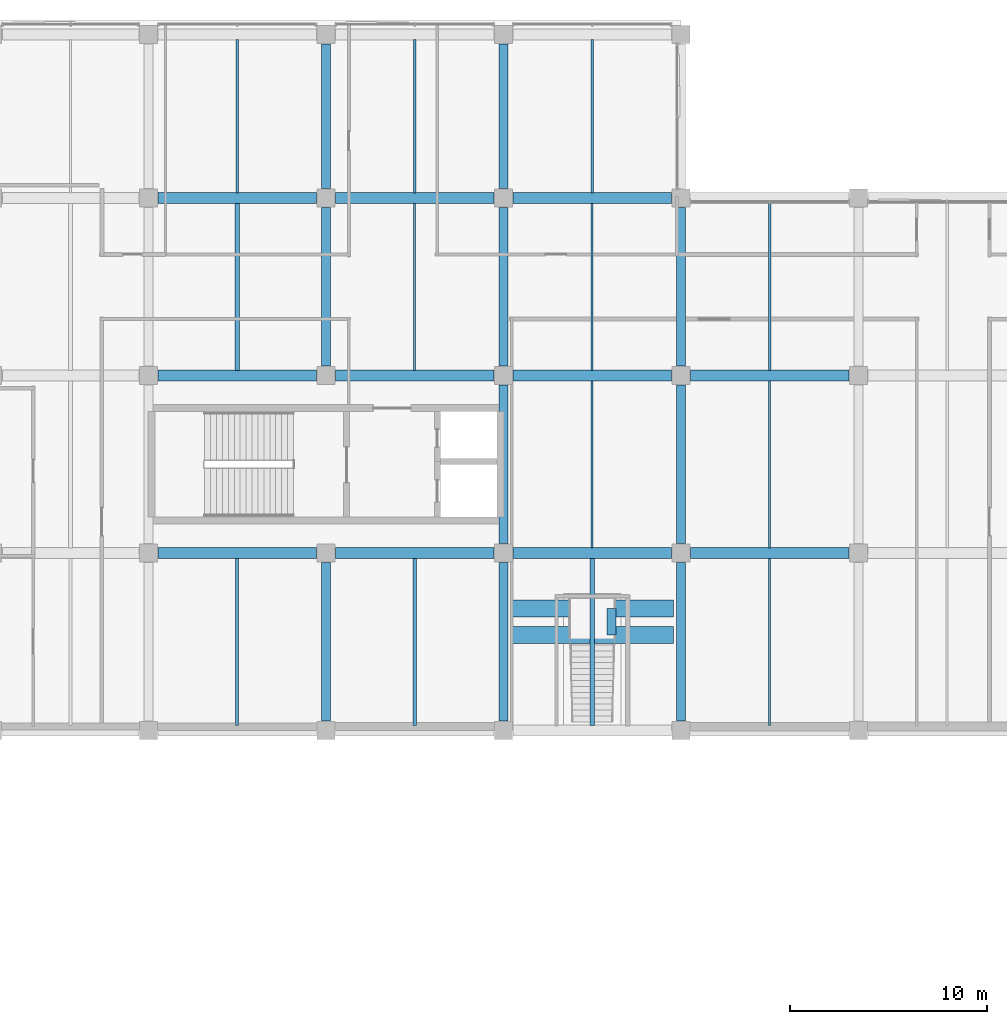
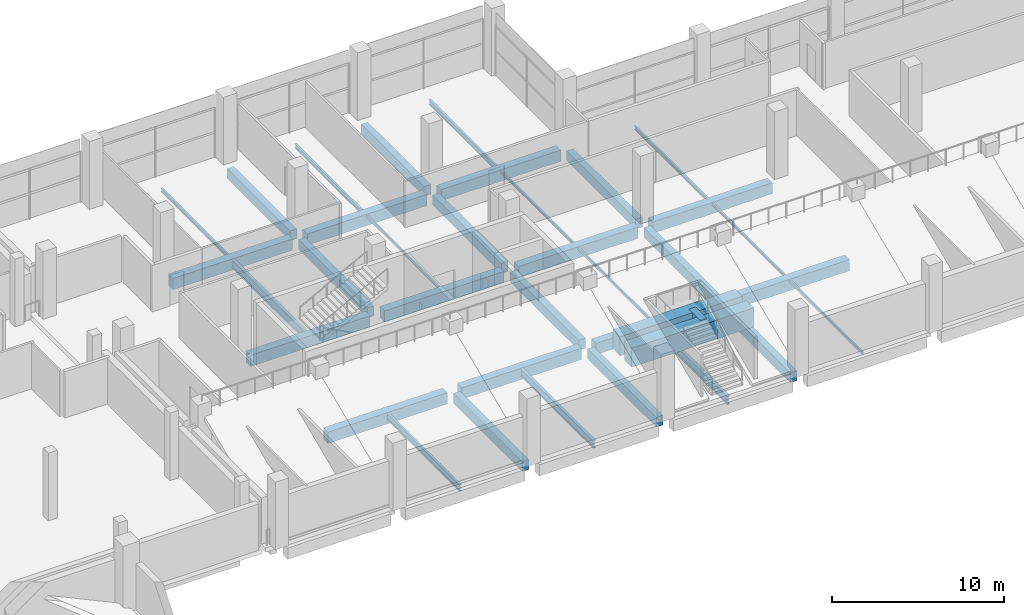
# One storey, part 31 of 100: 37 beams.
"""IFC4 building model written with IfcOpenShell, lengths in metres."""

from ifc_helpers import new_model, si_unit, direction, frame, origin, origin_2d, place, context, subcontext, project, spatial, rectangle, hollow_rectangle, i_section, extrude, material, material_profile, profile_set, type_object, element, save


model = new_model("IFC4")

# Units and contexts
model_context = context("Model", 3, precision=1e-05, world=origin(), true_north=direction((0.0, 1.0)))
body_context = subcontext(model_context, "Body", "Model", "MODEL_VIEW")
ifc_project = project(units=[si_unit("LENGTHUNIT", "METRE"), si_unit("AREAUNIT", "SQUARE_METRE"), si_unit("VOLUMEUNIT", "CUBIC_METRE"), si_unit("PLANEANGLEUNIT", "RADIAN"), si_unit("MASSUNIT", "GRAM", prefix="KILO"), si_unit("THERMODYNAMICTEMPERATUREUNIT", "KELVIN"), si_unit("POWERUNIT", "WATT")], contexts=[model_context])

# Site, building, storey
site_placement = place(None, origin())
site = spatial("IfcSite", under=ifc_project, at=site_placement, CompositionType="ELEMENT")
building_placement = place(site_placement, origin())
building = spatial("IfcBuilding", under=site, at=building_placement, Name="Sindhuravela Promenade Stadium", CompositionType="ELEMENT")
storey_placement = place(building_placement, frame((0.0, 0.0, 4.800048828125)))
storey = spatial("IfcBuildingStorey", under=building, at=storey_placement, Name="L01", CompositionType="ELEMENT", Elevation=4.800048828125)

# Beams
ifc_material_1 = material(Name="Concrete M40", Category="concrete")
ifc_material_profile_1 = material_profile(ifc_material_1, rectangle(XDim=0.449951171875, YDim=0.699951171875, at=origin_2d()), Name="RC 450x700")
ifc_profile_set_1 = profile_set([ifc_material_profile_1], Name="Concrete M40")
beam_type_1 = type_object("IfcBeamType", Name="RC-BM-450x700", PredefinedType="BEAM", material=ifc_profile_set_1)
for number, where, z_axis, x_axis, name in (
    (1, (72.0, 126.489990234375, -0.650146484375), (0.0, 1.0, 0.0), (-1.0, 0.0, 0.0), "Primary beam GB07 NORTH L01"),
    (2, (72.0, 144.489990234375, -0.650146484375), (0.0, 1.0, 0.0), (-1.0, 0.0, 0.0), "Primary beam GB07 NORTH L01"),
):
    element("IfcBeam", number, at=place(storey_placement, frame(where, z_axis=z_axis, x_axis=x_axis)), inside=storey, type_object=beam_type_1, Name=name, PredefinedType="BEAM", context=body_context, shape_type="SweptSolid", body=[
        extrude(rectangle(XDim=0.449951171875, YDim=0.699951171875, at=origin_2d()), origin(), (0.0, 0.0, 1.0), 8.02001953125),
    ])
beam_1_placement = place(storey_placement, frame((72.0, 153.489990234375, -0.650146484375), z_axis=(0.0, 1.0, 0.0), x_axis=(-1.0, 0.0, 0.0)))
element("IfcBeam", 3, at=beam_1_placement, inside=storey, type_object=beam_type_1, Name="Primary beam GB07 NORTH L01", PredefinedType="BEAM", context=body_context, shape_type="SweptSolid", body=[
    extrude(rectangle(XDim=0.449951171875, YDim=0.699951171875, at=origin_2d()), origin(), (0.0, 0.0, 1.0), 7.320068359375),
])
for number, where, z_axis, x_axis, name in (
    (4, (81.0, 126.489990234375, -0.650146484375), (0.0, 1.0, 0.0), (-1.0, 0.0, 0.0), "Primary beam GB07 NORTH L01"),
    (5, (81.0, 135.489990234375, -0.650146484375), (0.0, 1.0, 0.0), (-1.0, 0.0, 0.0), "Primary beam GB07 NORTH L01"),
    (6, (81.0, 144.489990234375, -0.650146484375), (0.0, 1.0, 0.0), (-1.0, 0.0, 0.0), "Primary beam GB07 NORTH L01"),
):
    element("IfcBeam", number, at=place(storey_placement, frame(where, z_axis=z_axis, x_axis=x_axis)), inside=storey, type_object=beam_type_1, Name=name, PredefinedType="BEAM", context=body_context, shape_type="SweptSolid", body=[
        extrude(rectangle(XDim=0.449951171875, YDim=0.699951171875, at=origin_2d()), origin(), (0.0, 0.0, 1.0), 8.02001953125),
    ])
beam_2_placement = place(storey_placement, frame((81.0, 153.489990234375, -0.650146484375), z_axis=(0.0, 1.0, 0.0), x_axis=(-1.0, 0.0, 0.0)))
element("IfcBeam", 7, at=beam_2_placement, inside=storey, type_object=beam_type_1, Name="Primary beam GB07 NORTH L01", PredefinedType="BEAM", context=body_context, shape_type="SweptSolid", body=[
    extrude(rectangle(XDim=0.449951171875, YDim=0.699951171875, at=origin_2d()), origin(), (0.0, 0.0, 1.0), 7.320068359375),
])
for number, where, z_axis, x_axis, name in (
    (8, (90.0, 126.489990234375, -0.650146484375), (0.0, 1.0, 0.0), (-1.0, 0.0, 0.0), "Primary beam GB07 NORTH L01"),
    (9, (90.0, 135.489990234375, -0.650146484375), (0.0, 1.0, 0.0), (-1.0, 0.0, 0.0), "Primary beam GB07 NORTH L01"),
    (10, (90.0, 144.489990234375, -0.650146484375), (0.0, 1.0, 0.0), (-1.0, 0.0, 0.0), "Primary beam GB07 NORTH L01"),
):
    element("IfcBeam", number, at=place(storey_placement, frame(where, z_axis=z_axis, x_axis=x_axis)), inside=storey, type_object=beam_type_1, Name=name, PredefinedType="BEAM", context=body_context, shape_type="SweptSolid", body=[
        extrude(rectangle(XDim=0.449951171875, YDim=0.699951171875, at=origin_2d()), origin(), (0.0, 0.0, 1.0), 8.02001953125),
    ])
beam_3_placement = place(storey_placement, frame((86.47998046875, 130.840087890625, 1.655029296875), z_axis=(0.0, 1.0, 0.0), x_axis=(-1.0, 0.0, 0.0)))
element("IfcBeam", 11, at=beam_3_placement, inside=storey, type_object=beam_type_1, Name="Vomitory VS09 landing edge stringer", PredefinedType="BEAM", context=body_context, shape_type="SweptSolid", body=[
    extrude(rectangle(XDim=0.449951171875, YDim=0.699951171875, at=origin_2d()), origin(), (0.0, 0.0, 1.0), 1.349853515625),
])
ifc_material_profile_2 = material_profile(ifc_material_1, rectangle(XDim=0.550048828125, YDim=0.800048828125, at=origin_2d()), Name="RC 550x800")
ifc_profile_set_2 = profile_set([ifc_material_profile_2], Name="Concrete M40")
beam_type_2 = type_object("IfcBeamType", Name="RC-BM-550x800", PredefinedType="BEAM", material=ifc_profile_set_2)
for number, where, z_axis, x_axis, name in (
    (12, (63.489990234375, 135.0, -0.699951171875), (1.0, 0.0, 0.0), (0.0, 1.0, 0.0), "Primary girder GB05 NORTH L01"),
    (13, (72.489990234375, 135.0, -0.699951171875), (1.0, 0.0, 0.0), (0.0, 1.0, 0.0), "Primary girder GB05 NORTH L01"),
    (14, (81.489990234375, 135.0, -0.699951171875), (1.0, 0.0, 0.0), (0.0, 1.0, 0.0), "Primary girder GB05 NORTH L01"),
    (15, (90.489990234375, 135.0, -0.699951171875), (1.0, 0.0, 0.0), (0.0, 1.0, 0.0), "Primary girder GB05 NORTH L01"),
    (16, (63.489990234375, 144.0, -0.699951171875), (1.0, 0.0, 0.0), (0.0, 1.0, 0.0), "Primary girder GB05 NORTH L01"),
    (17, (72.489990234375, 144.0, -0.699951171875), (1.0, 0.0, 0.0), (0.0, 1.0, 0.0), "Primary girder GB05 NORTH L01"),
    (18, (81.489990234375, 144.0, -0.699951171875), (1.0, 0.0, 0.0), (0.0, 1.0, 0.0), "Primary girder GB05 NORTH L01"),
    (19, (90.489990234375, 144.0, -0.699951171875), (1.0, 0.0, 0.0), (0.0, 1.0, 0.0), "Primary girder GB05 NORTH L01"),
    (20, (63.489990234375, 153.0, -0.699951171875), (1.0, 0.0, 0.0), (0.0, 1.0, 0.0), "Primary girder GB05 NORTH L01"),
    (21, (72.489990234375, 153.0, -0.699951171875), (1.0, 0.0, 0.0), (0.0, 1.0, 0.0), "Primary girder GB05 NORTH L01"),
    (22, (81.489990234375, 153.0, -0.699951171875), (1.0, 0.0, 0.0), (0.0, 1.0, 0.0), "Primary girder GB05 NORTH L01"),
):
    element("IfcBeam", number, at=place(storey_placement, frame(where, z_axis=z_axis, x_axis=x_axis)), inside=storey, type_object=beam_type_2, Name=name, PredefinedType="BEAM", context=body_context, shape_type="SweptSolid", body=[
        extrude(rectangle(XDim=0.550048828125, YDim=0.800048828125, at=origin_2d()), origin(), (0.0, 0.0, 1.0), 8.02001953125),
    ])
ifc_material_2 = material(Name="Concrete M50", Category="concrete")
ifc_material_profile_3 = material_profile(ifc_material_2, rectangle(XDim=0.85009765625, YDim=1.35009765625, at=origin_2d()), Name="RC 850x1350")
ifc_profile_set_3 = profile_set([ifc_material_profile_3], Name="Concrete M50")
beam_type_3 = type_object("IfcBeamType", Name="RC-RK-850x1350", PredefinedType="USERDEFINED", material=ifc_profile_set_3)
for number, where, z_axis, x_axis, name in (
    (23, (81.389892578125, 130.840087890625, 1.329833984375), (1.0, 0.0, 0.0), (0.0, 1.0, 0.0), "Vomitory VS09 landing trimmer beam 1"),
    (24, (81.389892578125, 132.18994140625, 1.329833984375), (1.0, 0.0, 0.0), (0.0, 1.0, 0.0), "Vomitory VS09 landing trimmer beam 2"),
):
    element("IfcBeam", number, at=place(storey_placement, frame(where, z_axis=z_axis, x_axis=x_axis)), inside=storey, type_object=beam_type_3, Name=name, ObjectType="RAKER", PredefinedType="USERDEFINED", context=body_context, shape_type="SweptSolid", body=[
        extrude(rectangle(XDim=0.85009765625, YDim=1.35009765625, at=origin_2d()), origin(), (0.0, 0.0, 1.0), 8.22021484375),
    ])
ifc_material_3 = material(Name="Steel E350 (IS 2062 E350BR)", Category="steel")
ifc_material_profile_4 = material_profile(ifc_material_3, hollow_rectangle(XDim=0.10009765625, YDim=0.199951171875, WallThickness=0.008056640625, at=origin_2d()), Name="RHS 200x100x8")
ifc_profile_set_4 = profile_set([ifc_material_profile_4], Name="Steel E350 (IS 2062 E350BR)")
beam_type_4 = type_object("IfcBeamType", Name="ST-BM-LNT200", PredefinedType="LINTEL", material=ifc_profile_set_4)
for number, where, z_axis, x_axis, name in (
    (25, (94.5, 126.264892578125, -0.400146484375), (0.0, 1.0, 0.0), (-1.0, 0.0, 0.0), "Secondary floor joist LN01 NORTH L01"),
    (26, (85.5, 135.264892578125, -0.400146484375), (0.0, 1.0, 0.0), (-1.0, 0.0, 0.0), "Secondary floor joist LN01 NORTH L01"),
    (27, (76.5, 144.264892578125, -0.400146484375), (0.0, 1.0, 0.0), (-1.0, 0.0, 0.0), "Secondary floor joist LN01 NORTH L01"),
):
    element("IfcBeam", number, at=place(storey_placement, frame(where, z_axis=z_axis, x_axis=x_axis)), inside=storey, type_object=beam_type_4, Name=name, PredefinedType="LINTEL", context=body_context, shape_type="SweptSolid", body=[
        extrude(hollow_rectangle(XDim=0.10009765625, YDim=0.199951171875, WallThickness=0.008056640625, at=origin_2d()), origin(), (0.0, 0.0, 1.0), 8.47021484375),
    ])
ifc_material_profile_5 = material_profile(ifc_material_3, i_section(OverallWidth=0.10009765625, OverallDepth=0.199951171875, WebThickness=0.005615234375, FlangeThickness=0.0107421875, FilletRadius=0.010986328125, at=origin_2d()), Name="ISMB 200")
ifc_profile_set_5 = profile_set([ifc_material_profile_5], Name="Steel E350 (IS 2062 E350BR)")
beam_type_5 = type_object("IfcBeamType", Name="ST-BM-MB200", PredefinedType="JOIST", material=ifc_profile_set_5)
for number, where, z_axis, x_axis, name in (
    (28, (94.5, 135.264892578125, -0.400146484375), (0.0, 1.0, 0.0), (-1.0, 0.0, 0.0), "Secondary floor joist SB01 NORTH L01"),
    (29, (85.5, 144.264892578125, -0.400146484375), (0.0, 1.0, 0.0), (-1.0, 0.0, 0.0), "Secondary floor joist SB01 NORTH L01"),
):
    element("IfcBeam", number, at=place(storey_placement, frame(where, z_axis=z_axis, x_axis=x_axis)), inside=storey, type_object=beam_type_5, Name=name, PredefinedType="JOIST", context=body_context, shape_type="SweptSolid", body=[
        extrude(i_section(OverallWidth=0.10009765625, OverallDepth=0.199951171875, WebThickness=0.005615234375, FlangeThickness=0.0107421875, FilletRadius=0.010986328125, at=origin_2d()), origin(), (0.0, 0.0, 1.0), 8.47021484375),
    ])
ifc_material_profile_6 = material_profile(ifc_material_3, i_section(OverallWidth=0.125, OverallDepth=0.25, WebThickness=0.0068359375, FlangeThickness=0.012451171875, FilletRadius=0.012939453125, at=origin_2d()), Name="ISMB 250")
ifc_profile_set_6 = profile_set([ifc_material_profile_6], Name="Steel E350 (IS 2062 E350BR)")
beam_type_6 = type_object("IfcBeamType", Name="ST-BM-MB250", PredefinedType="JOIST", material=ifc_profile_set_6)
beam_4_placement = place(storey_placement, frame((94.5, 144.264892578125, -0.425048828125), z_axis=(0.0, 1.0, 0.0), x_axis=(-1.0, 0.0, 0.0)))
element("IfcBeam", 30, at=beam_4_placement, inside=storey, type_object=beam_type_6, Name="Secondary floor joist SB02 NORTH L01", PredefinedType="JOIST", context=body_context, shape_type="SweptSolid", body=[
    extrude(i_section(OverallWidth=0.125, OverallDepth=0.25, WebThickness=0.0068359375, FlangeThickness=0.012451171875, FilletRadius=0.012939453125, at=origin_2d()), origin(), (0.0, 0.0, 1.0), 8.47021484375),
])
beam_5_placement = place(storey_placement, frame((67.5, 153.264892578125, -0.425048828125), z_axis=(0.0, 1.0, 0.0), x_axis=(-1.0, 0.0, 0.0)))
element("IfcBeam", 31, at=beam_5_placement, inside=storey, type_object=beam_type_6, Name="Secondary floor joist SB02 NORTH L01", PredefinedType="JOIST", context=body_context, shape_type="SweptSolid", body=[
    extrude(i_section(OverallWidth=0.125, OverallDepth=0.25, WebThickness=0.0068359375, FlangeThickness=0.012451171875, FilletRadius=0.012939453125, at=origin_2d()), origin(), (0.0, 0.0, 1.0), 7.77001953125),
])
ifc_material_profile_7 = material_profile(ifc_material_3, i_section(OverallWidth=0.139892578125, OverallDepth=0.300048828125, WebThickness=0.0078125, FlangeThickness=0.01318359375, FilletRadius=0.013916015625, at=origin_2d()), Name="ISMB 300")
ifc_profile_set_7 = profile_set([ifc_material_profile_7], Name="Steel E350 (IS 2062 E350BR)")
beam_type_7 = type_object("IfcBeamType", Name="ST-BM-MB300", PredefinedType="JOIST", material=ifc_profile_set_7)
beam_6_placement = place(storey_placement, frame((76.5, 153.264892578125, -0.449951171875), z_axis=(0.0, 1.0, 0.0), x_axis=(-1.0, 0.0, 0.0)))
element("IfcBeam", 32, at=beam_6_placement, inside=storey, type_object=beam_type_7, Name="Secondary floor joist SB03 NORTH L01", PredefinedType="JOIST", context=body_context, shape_type="SweptSolid", body=[
    extrude(i_section(OverallWidth=0.139892578125, OverallDepth=0.300048828125, WebThickness=0.0078125, FlangeThickness=0.01318359375, FilletRadius=0.013916015625, at=origin_2d()), origin(), (0.0, 0.0, 1.0), 7.77001953125),
])
ifc_material_profile_8 = material_profile(ifc_material_3, i_section(OverallWidth=0.139892578125, OverallDepth=0.35009765625, WebThickness=0.008056640625, FlangeThickness=0.01416015625, FilletRadius=0.013916015625, at=origin_2d()), Name="ISMB 350")
ifc_profile_set_8 = profile_set([ifc_material_profile_8], Name="Steel E350 (IS 2062 E350BR)")
beam_type_8 = type_object("IfcBeamType", Name="ST-BM-MB350", PredefinedType="JOIST", material=ifc_profile_set_8)
beam_7_placement = place(storey_placement, frame((85.5, 153.264892578125, -0.47509765625), z_axis=(0.0, 1.0, 0.0), x_axis=(-1.0, 0.0, 0.0)))
element("IfcBeam", 33, at=beam_7_placement, inside=storey, type_object=beam_type_8, Name="Secondary floor joist SB04 NORTH L01", PredefinedType="JOIST", context=body_context, shape_type="SweptSolid", body=[
    extrude(i_section(OverallWidth=0.139892578125, OverallDepth=0.35009765625, WebThickness=0.008056640625, FlangeThickness=0.01416015625, FilletRadius=0.013916015625, at=origin_2d()), origin(), (0.0, 0.0, 1.0), 7.77001953125),
])
ifc_material_profile_9 = material_profile(ifc_material_3, i_section(OverallWidth=0.14990234375, OverallDepth=0.449951171875, WebThickness=0.009521484375, FlangeThickness=0.017333984375, FilletRadius=0.014892578125, at=origin_2d()), Name="ISMB 450")
ifc_profile_set_9 = profile_set([ifc_material_profile_9], Name="Steel E350 (IS 2062 E350BR)")
beam_type_9 = type_object("IfcBeamType", Name="ST-BM-MB450", PredefinedType="BEAM", material=ifc_profile_set_9)
beam_8_placement = place(storey_placement, frame((67.5, 126.264892578125, -0.525146484375), z_axis=(0.0, 1.0, 0.0), x_axis=(-1.0, 0.0, 0.0)))
element("IfcBeam", 34, at=beam_8_placement, inside=storey, type_object=beam_type_9, Name="Secondary floor joist SB06 NORTH L01", PredefinedType="BEAM", context=body_context, shape_type="SweptSolid", body=[
    extrude(i_section(OverallWidth=0.14990234375, OverallDepth=0.449951171875, WebThickness=0.009521484375, FlangeThickness=0.017333984375, FilletRadius=0.014892578125, at=origin_2d()), origin(), (0.0, 0.0, 1.0), 8.47021484375),
])
ifc_material_profile_10 = material_profile(ifc_material_3, i_section(OverallWidth=0.18994140625, OverallDepth=0.550048828125, WebThickness=0.01123046875, FlangeThickness=0.019287109375, FilletRadius=0.01806640625, at=origin_2d()), Name="ISMB 550")
ifc_profile_set_10 = profile_set([ifc_material_profile_10], Name="Steel E350 (IS 2062 E350BR)")
beam_type_10 = type_object("IfcBeamType", Name="ST-BM-MB550", PredefinedType="SPANDREL", material=ifc_profile_set_10)
beam_9_placement = place(storey_placement, frame((76.5, 126.264892578125, -0.574951171875), z_axis=(0.0, 1.0, 0.0), x_axis=(-1.0, 0.0, 0.0)))
element("IfcBeam", 35, at=beam_9_placement, inside=storey, type_object=beam_type_10, Name="Secondary floor joist SB08 NORTH L01", PredefinedType="SPANDREL", context=body_context, shape_type="SweptSolid", body=[
    extrude(i_section(OverallWidth=0.18994140625, OverallDepth=0.550048828125, WebThickness=0.01123046875, FlangeThickness=0.019287109375, FilletRadius=0.01806640625, at=origin_2d()), origin(), (0.0, 0.0, 1.0), 8.47021484375),
])
ifc_material_profile_11 = material_profile(ifc_material_3, i_section(OverallWidth=0.2099609375, OverallDepth=0.60009765625, WebThickness=0.011962890625, FlangeThickness=0.020751953125, FilletRadius=0.02001953125, at=origin_2d()), Name="ISMB 600")
ifc_profile_set_11 = profile_set([ifc_material_profile_11], Name="Steel E350 (IS 2062 E350BR)")
beam_type_11 = type_object("IfcBeamType", Name="ST-BM-MB600", PredefinedType="BEAM", material=ifc_profile_set_11)
for number, where, z_axis, x_axis, name in (
    (36, (85.5, 126.264892578125, -0.60009765625), (0.0, 1.0, 0.0), (-1.0, 0.0, 0.0), "Secondary floor joist SB09 NORTH L01"),
    (37, (67.5, 144.264892578125, -0.60009765625), (0.0, 1.0, 0.0), (-1.0, 0.0, 0.0), "Secondary floor joist SB09 NORTH L01"),
):
    element("IfcBeam", number, at=place(storey_placement, frame(where, z_axis=z_axis, x_axis=x_axis)), inside=storey, type_object=beam_type_11, Name=name, PredefinedType="BEAM", context=body_context, shape_type="SweptSolid", body=[
        extrude(i_section(OverallWidth=0.2099609375, OverallDepth=0.60009765625, WebThickness=0.011962890625, FlangeThickness=0.020751953125, FilletRadius=0.02001953125, at=origin_2d()), origin(), (0.0, 0.0, 1.0), 8.47021484375),
    ])

save(model, "model.ifc")
